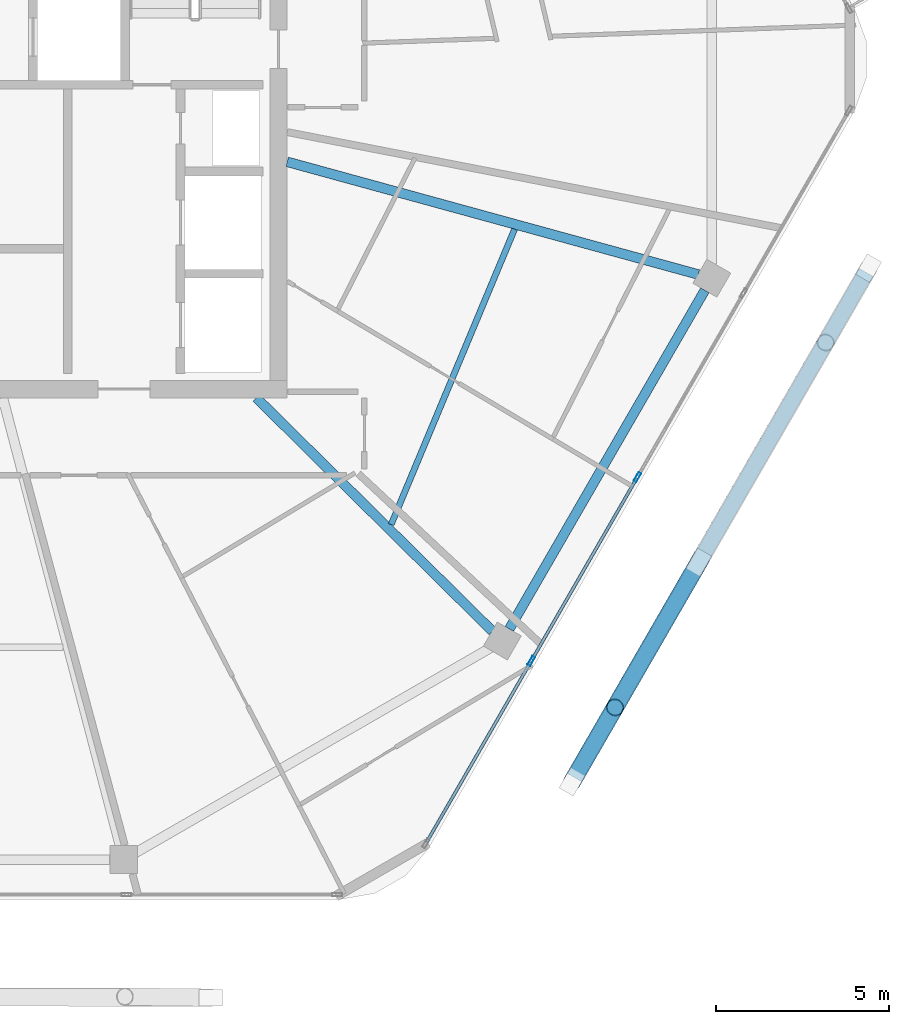
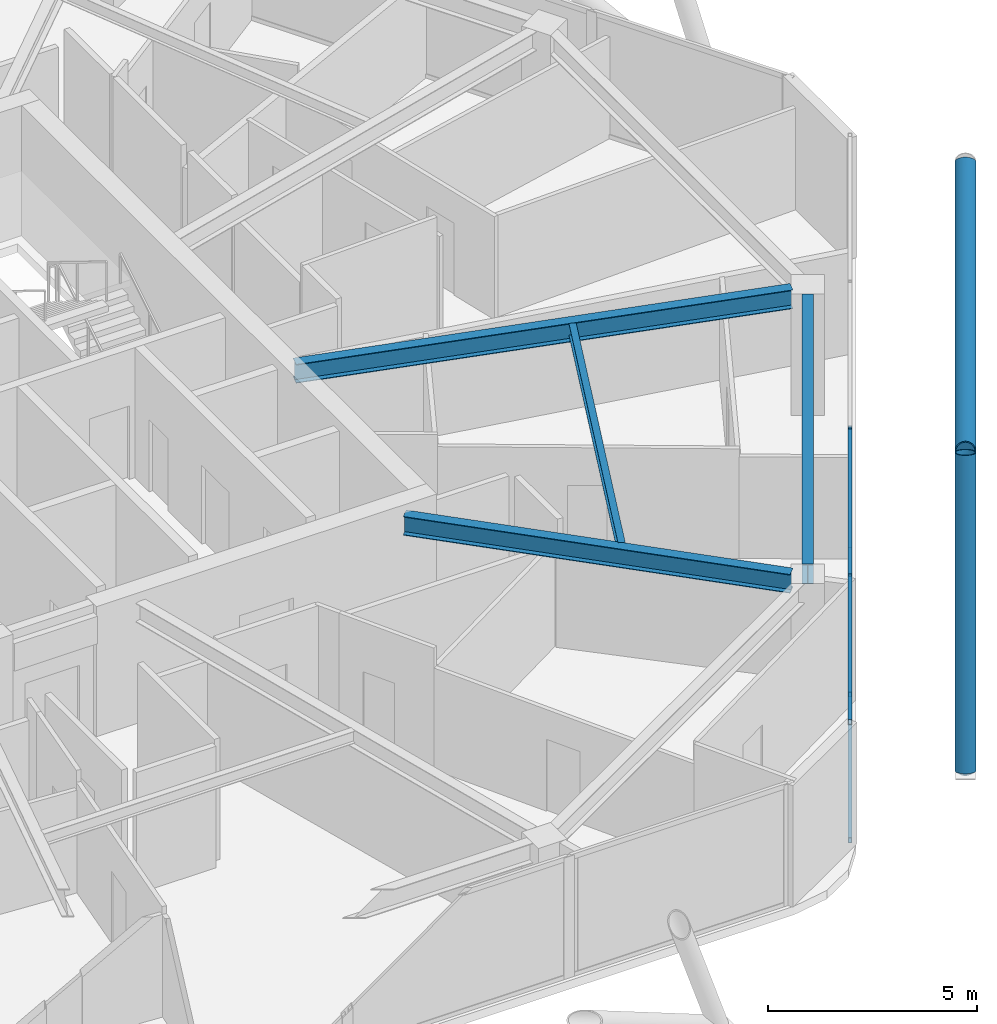
# One storey, part 7 of 23: 10 members, 4 beams, 1 element without a shape of its own.
"""IFC4 building model written with IfcOpenShell, lengths in metres."""

from ifc_helpers import new_model, si_unit, direction, frame, origin, origin_2d, place, context, subcontext, project, spatial, hollow_rectangle, hollow_circle, i_section, extrude, material, material_profile, profile_set, type_object, element, aggregate, save


model = new_model("IFC4")

# Units and contexts
model_context = context("Model", 3, precision=1e-05, world=origin(), true_north=direction((0.0, 1.0)))
body_context = subcontext(model_context, "Body", "Model", "MODEL_VIEW")
ifc_project = project(units=[si_unit("LENGTHUNIT", "METRE"), si_unit("AREAUNIT", "SQUARE_METRE"), si_unit("VOLUMEUNIT", "CUBIC_METRE"), si_unit("PLANEANGLEUNIT", "RADIAN"), si_unit("MASSUNIT", "GRAM", prefix="KILO")], contexts=[model_context])

# Site, building, storey
site_placement = place(None, origin())
site = spatial("IfcSite", under=ifc_project, at=site_placement, CompositionType="ELEMENT")
building_placement = place(site_placement, origin())
building = spatial("IfcBuilding", under=site, at=building_placement, Name="Zuhravey Tower", CompositionType="ELEMENT")
storey_placement = place(building_placement, frame((0.0, 0.0, 331.0)))
storey = spatial("IfcBuildingStorey", under=building, at=storey_placement, Name="L84", CompositionType="ELEMENT", Elevation=331.0)

# Curtain wall, members
ifc_material_1 = material(Name="Thermally broken anodised aluminium", Category="aluminium")
curtain_wall_type = type_object("IfcCurtainWallType", Name="Zone 3-4 High-Rise Curtain Wall CW4", PredefinedType="NOTDEFINED", material=ifc_material_1)
curtain_wall_placement = place(storey_placement, origin())
curtain_wall = element("IfcCurtainWall", 1, at=curtain_wall_placement, inside=storey, type_object=curtain_wall_type, Name="L84 CW4 CW-L84-F6-1", PredefinedType="NOTDEFINED")
ifc_material_2 = material(Name="Anodised aluminium", Category="aluminium")
ifc_material_profile_1 = material_profile(ifc_material_2, hollow_rectangle(XDim=0.090087890625, YDim=0.284912109375, WallThickness=0.0048828125, at=origin_2d()), Name="ALU-RHS-90x285x5")
ifc_profile_set_1 = profile_set([ifc_material_profile_1], Name="Anodised aluminium")
member_type_1 = type_object("IfcMemberType", Name="Curtain-Wall Mullion 90x180", PredefinedType="MULLION", material=ifc_profile_set_1)
member_1_placement = place(storey_placement, frame((56.8486328125, 19.962890625, 0.0), z_axis=(0.0, 0.0, 1.0), x_axis=(0.866025511541, -0.49999981336, 0.0)))
member_1 = element("IfcMember", 2, at=member_1_placement, type_object=member_type_1, Name="CW4 mullion 3", PredefinedType="MULLION", context=body_context, shape_type="SweptSolid", body=[
    extrude(hollow_rectangle(XDim=0.090087890625, YDim=0.284912109375, WallThickness=0.0048828125, at=origin_2d()), origin(), (0.0, 0.0, 1.0), 3.550048828125),
])
member_2_placement = place(storey_placement, frame((53.788818359375, 14.6630859375, 0.0), z_axis=(0.0, 0.0, 1.0), x_axis=(0.866025511541, -0.49999981336, 0.0)))
member_2 = element("IfcMember", 3, at=member_2_placement, type_object=member_type_1, Name="CW4 mullion 4", PredefinedType="MULLION", context=body_context, shape_type="SweptSolid", body=[
    extrude(hollow_rectangle(XDim=0.090087890625, YDim=0.284912109375, WallThickness=0.0048828125, at=origin_2d()), origin(), (0.0, 0.0, 1.0), 3.550048828125),
])
ifc_material_profile_2 = material_profile(ifc_material_2, hollow_rectangle(XDim=0.090087890625, YDim=0.14990234375, WallThickness=0.0048828125, at=origin_2d()), Name="ALU-RHS-90x150x5")
ifc_profile_set_2 = profile_set([ifc_material_profile_2], Name="Anodised aluminium")
member_type_2 = type_object("IfcMemberType", Name="Curtain-Wall Transom 90x150", PredefinedType="USERDEFINED", material=ifc_profile_set_2)
member_3_placement = place(storey_placement, frame((56.826171875, 19.924072265625, 0.044921875), z_axis=(-0.499971305196, -0.866041970103, 0.0), x_axis=(0.866041970103, -0.499971305196, 0.0)))
member_3 = element("IfcMember", 4, at=member_3_placement, type_object=member_type_2, Name="CW4 transom 3.1", ObjectType="TRANSOM", PredefinedType="USERDEFINED", context=body_context, shape_type="SweptSolid", body=[
    extrude(hollow_rectangle(XDim=0.090087890625, YDim=0.14990234375, WallThickness=0.0048828125, at=origin_2d()), origin(), (0.0, 0.0, 1.0), 6.029541015625),
])
member_4_placement = place(storey_placement, frame((56.826171875, 19.924072265625, 3.5048828125), z_axis=(-0.499971305196, -0.866041970103, 0.0), x_axis=(0.866041970103, -0.499971305196, 0.0)))
member_4 = element("IfcMember", 5, at=member_4_placement, type_object=member_type_2, Name="CW4 transom 3.2", ObjectType="TRANSOM", PredefinedType="USERDEFINED", context=body_context, shape_type="SweptSolid", body=[
    extrude(hollow_rectangle(XDim=0.090087890625, YDim=0.14990234375, WallThickness=0.0048828125, at=origin_2d()), origin(), (0.0, 0.0, 1.0), 6.029541015625),
])
member_5_placement = place(storey_placement, frame((53.766357421875, 14.624267578125, 0.044921875), z_axis=(-0.499982594807, -0.866035452444, 0.0), x_axis=(0.866035452444, -0.499982594807, 0.0)))
member_5 = element("IfcMember", 6, at=member_5_placement, type_object=member_type_2, Name="CW4 transom 4.1", ObjectType="TRANSOM", PredefinedType="USERDEFINED", context=body_context, shape_type="SweptSolid", body=[
    extrude(hollow_rectangle(XDim=0.090087890625, YDim=0.14990234375, WallThickness=0.0048828125, at=origin_2d()), origin(), (0.0, 0.0, 1.0), 5.984619140625),
])
member_6_placement = place(storey_placement, frame((53.766357421875, 14.624267578125, 3.5048828125), z_axis=(-0.499982594807, -0.866035452444, 0.0), x_axis=(0.866035452444, -0.499982594807, 0.0)))
member_6 = element("IfcMember", 7, at=member_6_placement, type_object=member_type_2, Name="CW4 transom 4.2", ObjectType="TRANSOM", PredefinedType="USERDEFINED", context=body_context, shape_type="SweptSolid", body=[
    extrude(hollow_rectangle(XDim=0.090087890625, YDim=0.14990234375, WallThickness=0.0048828125, at=origin_2d()), origin(), (0.0, 0.0, 1.0), 5.984619140625),
])
aggregate(curtain_wall, [member_1, member_2, member_3, member_4, member_5, member_6])

# Members
ifc_material_3 = material(Name="Steel SM355", Category="steel")
ifc_material_profile_3 = material_profile(ifc_material_3, hollow_circle(Radius=0.228515625, WallThickness=0.02197265625, at=origin_2d()), Name="CHS-457.2x22")
ifc_profile_set_3 = profile_set([ifc_material_profile_3], Name="Steel SM355")
member_type_3 = type_object("IfcMemberType", Name="Exoskeleton Ring Tie CHS457x22", PredefinedType="CHORD", material=ifc_profile_set_3)
member_7_placement = place(storey_placement, frame((55.0341796875, 11.300048828125, -0.464111328125), z_axis=(0.499996794797, 0.866027254301, 0.0), x_axis=(-0.866027254301, 0.499996794797, 0.0)))
element("IfcMember", 8, at=member_7_placement, inside=storey, type_object=member_type_3, Name="L84 Exoskeleton Face 6 Tie EXR1", PredefinedType="CHORD", context=body_context, shape_type="SweptSolid", body=[
    extrude(hollow_circle(Radius=0.228515625, WallThickness=0.02197265625, at=origin_2d()), origin(), (0.0, 0.0, 1.0), 16.81884765625),
])
ifc_material_profile_4 = material_profile(ifc_material_3, hollow_circle(Radius=0.25390625, WallThickness=0.02490234375, at=origin_2d()), Name="CHS-508.0x25")
ifc_profile_set_4 = profile_set([ifc_material_profile_4], Name="Steel SM355")
member_type_4 = type_object("IfcMemberType", Name="Exoskeleton Zone 4 Diagrid CHS508x25", PredefinedType="BRACE", material=ifc_profile_set_4)
member_8_placement = place(storey_placement, frame((54.966796875, 11.183349609375, -0.447998046875), z_axis=(0.155226445416, 0.268871093126, 0.950585654176), x_axis=(-0.866034263809, 0.499984653673, 0.0)))
element("IfcMember", 9, at=member_8_placement, inside=storey, type_object=member_type_4, Name="L84 Face 6 Diagrid Brace 1", PredefinedType="BRACE", context=body_context, shape_type="SweptSolid", body=[
    extrude(hollow_circle(Radius=0.25390625, WallThickness=0.02490234375, at=origin_2d()), origin(), (0.0, 0.0, 1.0), 7.96142578125),
])
member_9_placement = place(storey_placement, frame((54.9794921875, 11.20556640625, -0.447998046875), z_axis=(0.443626032457, 0.768361478759, 0.461320475684), x_axis=(-0.866019388108, 0.500010419312, 0.0)))
element("IfcMember", 10, at=member_9_placement, inside=storey, type_object=member_type_4, Name="L84 Face 6 Diagrid Brace 2", PredefinedType="BRACE", context=body_context, shape_type="SweptSolid", body=[
    extrude(hollow_circle(Radius=0.25390625, WallThickness=0.02490234375, at=origin_2d()), origin(), (0.0, 0.0, 1.0), 16.4052734375),
])
member_10_placement = place(storey_placement, frame((58.5224609375, 17.34228515625, 3.487060546875), z_axis=(-0.392816281446, -0.680465215045, 0.618597171142), x_axis=(0.866053230054, -0.499951800389, 0.0)))
element("IfcMember", 11, at=member_10_placement, inside=storey, type_object=member_type_4, Name="L84 Face 6 Split Diagrid Brace 3B", PredefinedType="BRACE", context=body_context, shape_type="SweptSolid", body=[
    extrude(hollow_circle(Radius=0.25390625, WallThickness=0.02490234375, at=origin_2d()), origin(), (0.0, 0.0, 1.0), 5.864013671875),
])

# Beams
ifc_material_profile_5 = material_profile(ifc_material_3, i_section(OverallWidth=0.280029296875, OverallDepth=0.580078125, WebThickness=0.011962890625, FlangeThickness=0.01904296875, at=origin_2d()), Name="H-580x280x12x19")
ifc_profile_set_5 = profile_set([ifc_material_profile_5], Name="Steel SM355")
beam_type_1 = type_object("IfcBeamType", Name="Perimeter Ring Beam H580x280", PredefinedType="BEAM", material=ifc_profile_set_5)
beam_1_placement = place(storey_placement, frame((53.15625, 15.58740234375, 3.260009765625), z_axis=(0.500006198144, 0.866021825255, 0.0), x_axis=(-0.866021825255, 0.500006198144, 0.0)))
element("IfcBeam", 12, at=beam_1_placement, inside=storey, type_object=beam_type_1, Name="L84 PB4 BM-L84-PB-11", PredefinedType="BEAM", context=body_context, shape_type="SweptSolid", body=[
    extrude(i_section(OverallWidth=0.280029296875, OverallDepth=0.580078125, WebThickness=0.011962890625, FlangeThickness=0.01904296875, at=origin_2d()), origin(), (0.0, 0.0, 1.0), 11.271240234375),
])
ifc_material_profile_6 = material_profile(ifc_material_3, i_section(OverallWidth=0.280029296875, OverallDepth=0.550048828125, WebThickness=0.010986328125, FlangeThickness=0.01806640625, at=origin_2d()), Name="H-550x280x11x18")
ifc_profile_set_6 = profile_set([ifc_material_profile_6], Name="Steel SM355")
beam_type_2 = type_object("IfcBeamType", Name="Radial Primary Girder H550x280", PredefinedType="BEAM", material=ifc_profile_set_6)
beam_2_placement = place(storey_placement, frame((45.865234375, 22.2470703125, 3.27490234375), z_axis=(0.711153035666, -0.703037239314, 0.0), x_axis=(0.703037239314, 0.711153035666, 0.0)))
element("IfcBeam", 13, at=beam_2_placement, inside=storey, type_object=beam_type_2, Name="L84 RG4 BM-L84-RAD-11", PredefinedType="BEAM", context=body_context, shape_type="SweptSolid", body=[
    extrude(i_section(OverallWidth=0.280029296875, OverallDepth=0.550048828125, WebThickness=0.010986328125, FlangeThickness=0.01806640625, at=origin_2d()), origin(), (0.0, 0.0, 1.0), 9.566162109375),
])
beam_3_placement = place(storey_placement, frame((46.7529296875, 29.052734375, 3.27490234375), z_axis=(0.964427903067, -0.264346022829, 0.0), x_axis=(0.264346022829, 0.964427903067, 0.0)))
element("IfcBeam", 14, at=beam_3_placement, inside=storey, type_object=beam_type_2, Name="L84 RG4 BM-L84-RAD-12", PredefinedType="BEAM", context=body_context, shape_type="SweptSolid", body=[
    extrude(i_section(OverallWidth=0.280029296875, OverallDepth=0.550048828125, WebThickness=0.010986328125, FlangeThickness=0.01806640625, at=origin_2d()), origin(), (0.0, 0.0, 1.0), 12.2890625),
])
ifc_material_profile_7 = material_profile(ifc_material_3, i_section(OverallWidth=0.175048828125, OverallDepth=0.35009765625, WebThickness=0.007080078125, FlangeThickness=0.010986328125, at=origin_2d()), Name="H-350x175x7x11")
ifc_profile_set_7 = profile_set([ifc_material_profile_7], Name="Steel SM355")
beam_type_3 = type_object("IfcBeamType", Name="Secondary Floor Joist H350x175", PredefinedType="JOIST", material=ifc_profile_set_7)
beam_4_placement = place(storey_placement, frame((49.7490234375, 18.59521484375, 3.375), z_axis=(0.385657891576, 0.922641853953, 0.0), x_axis=(-0.922641853953, 0.385657891576, 0.0)))
element("IfcBeam", 15, at=beam_4_placement, inside=storey, type_object=beam_type_3, Name="L84 SJ3 BM-L84-SJ-11-1", PredefinedType="JOIST", context=body_context, shape_type="SweptSolid", body=[
    extrude(i_section(OverallWidth=0.175048828125, OverallDepth=0.35009765625, WebThickness=0.007080078125, FlangeThickness=0.010986328125, at=origin_2d()), origin(), (0.0, 0.0, 1.0), 9.226806640625),
])

save(model, "model.ifc")
